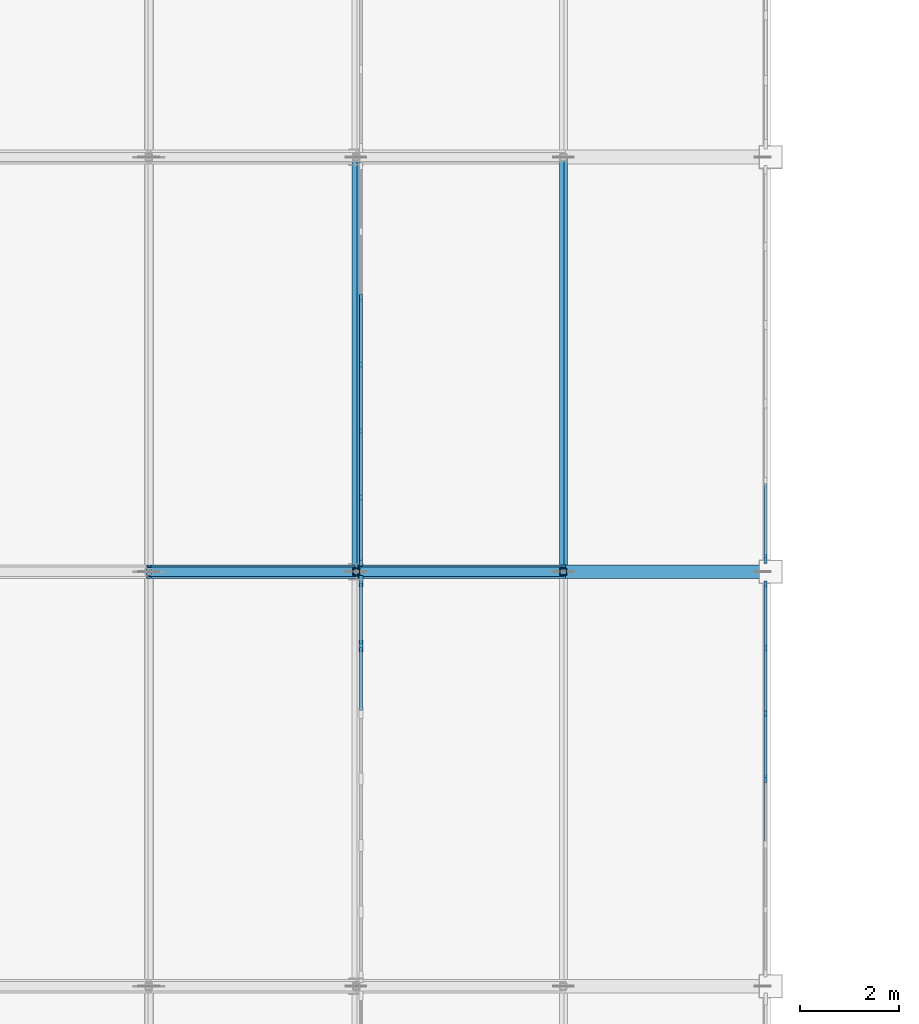
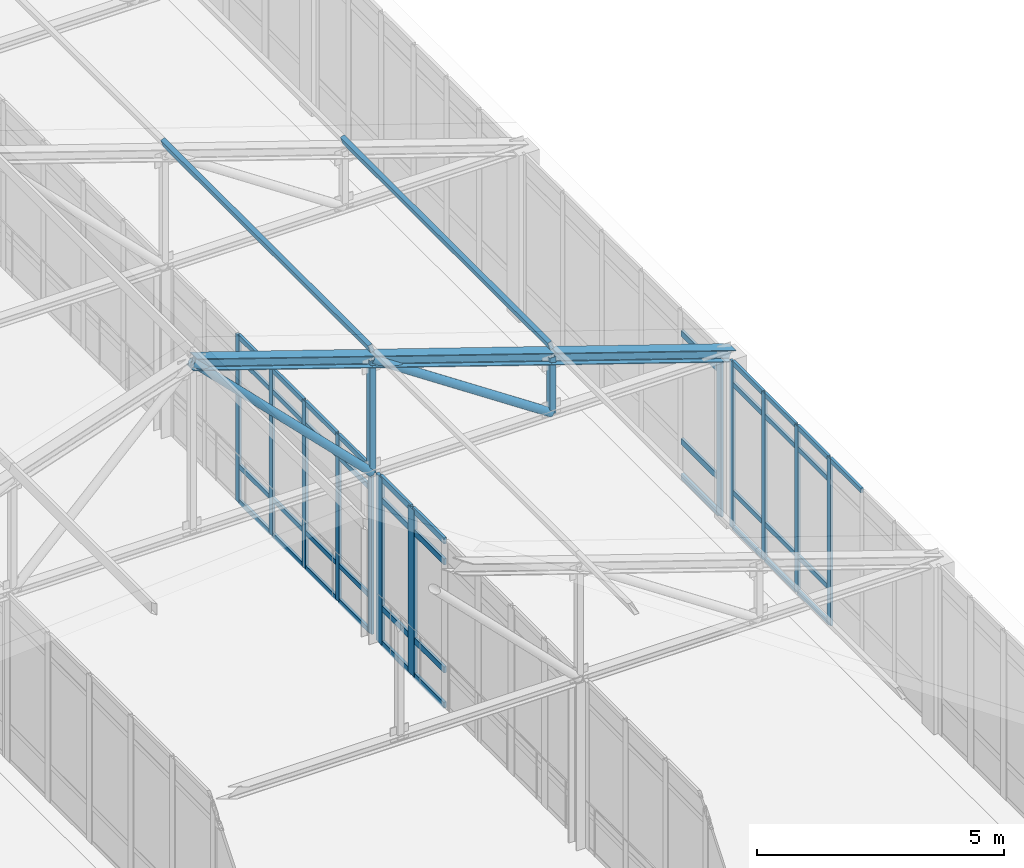
# One storey, part 66 of 192: 61 members, 4 elements without a shape of their own.
"""IFC4 building model written with IfcOpenShell, lengths in metres."""

from ifc_helpers import new_model, si_unit, direction, frame, origin, origin_2d, place, context, subcontext, project, spatial, rectangle, hollow_rectangle, hollow_circle, i_section, extrude, material, layer, layer_set, material_profile, profile_set, type_object, element, aggregate, save


model = new_model("IFC4")

# Units and contexts
model_context = context("Model", 3, precision=1e-05, world=origin(), true_north=direction((0.0, 1.0)))
body_context = subcontext(model_context, "Body", "Model", "MODEL_VIEW")
ifc_project = project(units=[si_unit("LENGTHUNIT", "METRE"), si_unit("AREAUNIT", "SQUARE_METRE"), si_unit("VOLUMEUNIT", "CUBIC_METRE"), si_unit("PLANEANGLEUNIT", "RADIAN"), si_unit("MASSUNIT", "GRAM", prefix="KILO")], contexts=[model_context])

# Site, building, storey
site_placement = place(None, origin())
site = spatial("IfcSite", under=ifc_project, at=site_placement, CompositionType="ELEMENT")
building_placement = place(site_placement, origin())
building = spatial("IfcBuilding", under=site, at=building_placement, Name="Kveldsbrygga Polytechnic", CompositionType="ELEMENT")
storey_placement = place(building_placement, frame((0.0, 0.0, 5.43994140625)))
storey = spatial("IfcBuildingStorey", under=building, at=storey_placement, Name="L01", CompositionType="ELEMENT", Elevation=5.43994140625)

# Curtain wall, members
ifc_material_1 = material(Name="Anodised aluminium AW-6060", Category="aluminium")
ifc_layer_1 = layer(ifc_material_1, 0.179931640625)
ifc_layer_set_1 = layer_set([ifc_layer_1], Name="Anodised aluminium AW-6060")
curtain_wall_type_1 = type_object("IfcCurtainWallType", Name="CW-CONC-A", PredefinedType="USERDEFINED", material=ifc_layer_set_1)
curtain_wall_1_placement = place(storey_placement, origin())
curtain_wall_1 = element("IfcCurtainWall", 1, at=curtain_wall_1_placement, inside=storey, type_object=curtain_wall_type_1, Name="Curtain Wall CW-L01-Y-09-05", ObjectType="UNITISED CURTAIN WALL", PredefinedType="USERDEFINED")
ifc_material_profile_1 = material_profile(ifc_material_1, rectangle(XDim=0.06005859375, YDim=0.139892578125, at=origin_2d()), Name="ALU 60x140")
ifc_profile_set_1 = profile_set([ifc_material_profile_1], Name="Anodised aluminium AW-6060")
member_type_1 = type_object("IfcMemberType", Name="CW-MUL-140", PredefinedType="MULLION", material=ifc_profile_set_1)
member_1_placement = place(storey_placement, frame((75.5, 46.199951171875, 0.0), z_axis=(0.0, 0.0, 1.0), x_axis=(-1.0, 0.0, 0.0)))
member_1 = element("IfcMember", 2, at=member_1_placement, type_object=member_type_1, Name="CW-01 mullion 4", PredefinedType="MULLION", context=body_context, shape_type="SweptSolid", body=[
    extrude(rectangle(XDim=0.06005859375, YDim=0.139892578125, at=origin_2d()), origin(), (0.0, 0.0, 1.0), 4.1201171875),
])
member_2_placement = place(storey_placement, frame((75.5, 47.52490234375, 0.0), z_axis=(0.0, 0.0, 1.0), x_axis=(-1.0, 0.0, 0.0)))
member_2 = element("IfcMember", 3, at=member_2_placement, type_object=member_type_1, Name="CW-01 mullion 5", PredefinedType="MULLION", context=body_context, shape_type="SweptSolid", body=[
    extrude(rectangle(XDim=0.06005859375, YDim=0.139892578125, at=origin_2d()), origin(), (0.0, 0.0, 1.0), 4.1201171875),
])
member_3_placement = place(storey_placement, frame((75.5, 48.85009765625, 0.0), z_axis=(0.0, 0.0, 1.0), x_axis=(-1.0, 0.0, 0.0)))
member_3 = element("IfcMember", 4, at=member_3_placement, type_object=member_type_1, Name="CW-01 mullion 6", PredefinedType="MULLION", context=body_context, shape_type="SweptSolid", body=[
    extrude(rectangle(XDim=0.06005859375, YDim=0.139892578125, at=origin_2d()), origin(), (0.0, 0.0, 1.0), 4.1201171875),
])
member_4_placement = place(storey_placement, frame((75.5, 50.14501953125, 0.0), z_axis=(0.0, 0.0, 1.0), x_axis=(-1.0, 0.0, 0.0)))
member_4 = element("IfcMember", 5, at=member_4_placement, type_object=member_type_1, Name="CW-01 mullion 7", PredefinedType="MULLION", context=body_context, shape_type="SweptSolid", body=[
    extrude(rectangle(XDim=0.06005859375, YDim=0.139892578125, at=origin_2d()), origin(), (0.0, 0.0, 1.0), 4.1201171875),
])

curtain_wall_2_placement = place(storey_placement, origin())
curtain_wall_2 = element("IfcCurtainWall", 6, at=curtain_wall_2_placement, inside=storey, type_object=curtain_wall_type_1, Name="Curtain Wall CW-L01-Y-08-06", ObjectType="UNITISED CURTAIN WALL", PredefinedType="USERDEFINED")
member_5_placement = place(storey_placement, frame((67.300048828125, 50.5849609375, 0.0), z_axis=(0.0, 0.0, 1.0), x_axis=(-1.0, 0.0, 0.0)))
member_5 = element("IfcMember", 7, at=member_5_placement, type_object=member_type_1, Name="CW-01 mullion 1", PredefinedType="MULLION", context=body_context, shape_type="SweptSolid", body=[
    extrude(rectangle(XDim=0.06005859375, YDim=0.139892578125, at=origin_2d()), origin(), (0.0, 0.0, 1.0), 4.1201171875),
])
member_6_placement = place(storey_placement, frame((67.300048828125, 51.9033203125, 0.0), z_axis=(0.0, 0.0, 1.0), x_axis=(-1.0, 0.0, 0.0)))
member_6 = element("IfcMember", 8, at=member_6_placement, type_object=member_type_1, Name="CW-01 mullion 2", PredefinedType="MULLION", context=body_context, shape_type="SweptSolid", body=[
    extrude(rectangle(XDim=0.06005859375, YDim=0.139892578125, at=origin_2d()), origin(), (0.0, 0.0, 1.0), 4.1201171875),
])
member_7_placement = place(storey_placement, frame((67.300048828125, 53.251708984375, 0.0), z_axis=(0.0, 0.0, 1.0), x_axis=(-1.0, 0.0, 0.0)))
member_7 = element("IfcMember", 9, at=member_7_placement, type_object=member_type_1, Name="CW-01 mullion 3", PredefinedType="MULLION", context=body_context, shape_type="SweptSolid", body=[
    extrude(rectangle(XDim=0.06005859375, YDim=0.139892578125, at=origin_2d()), origin(), (0.0, 0.0, 1.0), 4.1201171875),
])
member_8_placement = place(storey_placement, frame((67.300048828125, 54.60009765625, 0.0), z_axis=(0.0, 0.0, 1.0), x_axis=(-1.0, 0.0, 0.0)))
member_8 = element("IfcMember", 10, at=member_8_placement, type_object=member_type_1, Name="CW-01 mullion 4", PredefinedType="MULLION", context=body_context, shape_type="SweptSolid", body=[
    extrude(rectangle(XDim=0.06005859375, YDim=0.139892578125, at=origin_2d()), origin(), (0.0, 0.0, 1.0), 4.1201171875),
])
member_9_placement = place(storey_placement, frame((67.300048828125, 55.9482421875, 0.0), z_axis=(0.0, 0.0, 1.0), x_axis=(-1.0, 0.0, 0.0)))
member_9 = element("IfcMember", 11, at=member_9_placement, type_object=member_type_1, Name="CW-01 mullion 5", PredefinedType="MULLION", context=body_context, shape_type="SweptSolid", body=[
    extrude(rectangle(XDim=0.06005859375, YDim=0.139892578125, at=origin_2d()), origin(), (0.0, 0.0, 1.0), 4.1201171875),
])

# Curtain wall, member
ifc_layer_2 = layer(ifc_material_1, 0.199951171875)
ifc_layer_set_2 = layer_set([ifc_layer_2], Name="Anodised aluminium AW-6060")
curtain_wall_type_2 = type_object("IfcCurtainWallType", Name="CW-CONC-B", PredefinedType="USERDEFINED", material=ifc_layer_set_2)
curtain_wall_3_placement = place(storey_placement, origin())
curtain_wall_3 = element("IfcCurtainWall", 12, at=curtain_wall_3_placement, inside=storey, type_object=curtain_wall_type_2, Name="Curtain Wall CW-L01-Y-09-06", ObjectType="UNITISED CURTAIN WALL", PredefinedType="USERDEFINED")
ifc_material_profile_2 = material_profile(ifc_material_1, rectangle(XDim=0.06005859375, YDim=0.179931640625, at=origin_2d()), Name="ALU 60x180")
ifc_profile_set_2 = profile_set([ifc_material_profile_2], Name="Anodised aluminium AW-6060")
member_type_2 = type_object("IfcMemberType", Name="CW-MUL-180", PredefinedType="MULLION", material=ifc_profile_set_2)
member_10_placement = place(storey_placement, frame((75.5, 50.655029296875, 0.0), z_axis=(0.0, 0.0, 1.0), x_axis=(-1.0, 0.0, 0.0)))
member_10 = element("IfcMember", 13, at=member_10_placement, type_object=member_type_2, Name="CW-02 mullion 1", PredefinedType="MULLION", context=body_context, shape_type="SweptSolid", body=[
    extrude(rectangle(XDim=0.06005859375, YDim=0.179931640625, at=origin_2d()), origin(), (0.0, 0.0, 1.0), 4.1201171875),
])

# Curtain wall, members
ifc_layer_3 = layer(ifc_material_1, 0.2099609375)
ifc_layer_set_3 = layer_set([ifc_layer_3], Name="Anodised aluminium AW-6060")
curtain_wall_type_3 = type_object("IfcCurtainWallType", Name="CW-LIBR-H", PredefinedType="USERDEFINED", material=ifc_layer_set_3)
curtain_wall_4_placement = place(storey_placement, origin())
curtain_wall_4 = element("IfcCurtainWall", 14, at=curtain_wall_4_placement, inside=storey, type_object=curtain_wall_type_3, Name="Curtain Wall CW-L01-Y-08-05", ObjectType="UNITISED CURTAIN WALL", PredefinedType="USERDEFINED")
ifc_material_profile_3 = material_profile(ifc_material_1, rectangle(XDim=0.074951171875, YDim=0.239990234375, at=origin_2d()), Name="ALU 75x240")
ifc_profile_set_3 = profile_set([ifc_material_profile_3], Name="Anodised aluminium AW-6060")
member_type_3 = type_object("IfcMemberType", Name="CW-MUL-240", PredefinedType="MULLION", material=ifc_profile_set_3)
member_11_placement = place(storey_placement, frame((67.300048828125, 48.896728515625, 0.0), z_axis=(0.0, 0.0, 1.0), x_axis=(-1.0, 0.0, 0.0)))
member_11 = element("IfcMember", 15, at=member_11_placement, type_object=member_type_3, Name="CW-08 mullion 6", PredefinedType="MULLION", context=body_context, shape_type="SweptSolid", body=[
    extrude(rectangle(XDim=0.074951171875, YDim=0.239990234375, at=origin_2d()), origin(), (0.0, 0.0, 1.0), 4.1201171875),
])
member_12_placement = place(storey_placement, frame((67.300048828125, 50.20751953125, 0.0), z_axis=(0.0, 0.0, 1.0), x_axis=(-1.0, 0.0, 0.0)))
member_12 = element("IfcMember", 16, at=member_12_placement, type_object=member_type_3, Name="CW-08 mullion 7", PredefinedType="MULLION", context=body_context, shape_type="SweptSolid", body=[
    extrude(rectangle(XDim=0.074951171875, YDim=0.239990234375, at=origin_2d()), origin(), (0.0, 0.0, 1.0), 4.1201171875),
])

# Member
ifc_material_profile_4 = material_profile(ifc_material_1, rectangle(XDim=0.06005859375, YDim=0.1201171875, at=origin_2d()), Name="ALU 60x120")
ifc_profile_set_4 = profile_set([ifc_material_profile_4], Name="Anodised aluminium AW-6060")
member_type_4 = type_object("IfcMemberType", Name="CW-TRN-120", PredefinedType="USERDEFINED", material=ifc_profile_set_4)
member_13_placement = place(storey_placement, frame((75.5, 44.905029296875, 4.090087890625), z_axis=(0.0, 1.0, 0.0), x_axis=(-1.0, 0.0, 0.0)))
member_13 = element("IfcMember", 17, at=member_13_placement, type_object=member_type_4, Name="CW-01 transom 3.4", ObjectType="TRANSOM", PredefinedType="USERDEFINED", context=body_context, shape_type="SweptSolid", body=[
    extrude(rectangle(XDim=0.06005859375, YDim=0.1201171875, at=origin_2d()), origin(), (0.0, 0.0, 1.0), 1.264892578125),
])

member_14_placement = place(storey_placement, frame((75.5, 46.22998046875, 0.030029296875), z_axis=(0.0, 1.0, 0.0), x_axis=(-1.0, 0.0, 0.0)))
member_14 = element("IfcMember", 18, at=member_14_placement, type_object=member_type_4, Name="CW-01 transom 4.1", ObjectType="TRANSOM", PredefinedType="USERDEFINED", context=body_context, shape_type="SweptSolid", body=[
    extrude(rectangle(XDim=0.06005859375, YDim=0.1201171875, at=origin_2d()), origin(), (0.0, 0.0, 1.0), 1.26513671875),
])

member_15_placement = place(storey_placement, frame((75.5, 46.22998046875, 0.900146484375), z_axis=(0.0, 1.0, 0.0), x_axis=(-1.0, 0.0, 0.0)))
member_15 = element("IfcMember", 19, at=member_15_placement, type_object=member_type_4, Name="CW-01 transom 4.2", ObjectType="TRANSOM", PredefinedType="USERDEFINED", context=body_context, shape_type="SweptSolid", body=[
    extrude(rectangle(XDim=0.06005859375, YDim=0.1201171875, at=origin_2d()), origin(), (0.0, 0.0, 1.0), 1.26513671875),
])

member_16_placement = place(storey_placement, frame((75.5, 46.22998046875, 3.570068359375), z_axis=(0.0, 1.0, 0.0), x_axis=(-1.0, 0.0, 0.0)))
member_16 = element("IfcMember", 20, at=member_16_placement, type_object=member_type_4, Name="CW-01 transom 4.3", ObjectType="TRANSOM", PredefinedType="USERDEFINED", context=body_context, shape_type="SweptSolid", body=[
    extrude(rectangle(XDim=0.06005859375, YDim=0.1201171875, at=origin_2d()), origin(), (0.0, 0.0, 1.0), 1.26513671875),
])

member_17_placement = place(storey_placement, frame((75.5, 46.22998046875, 4.090087890625), z_axis=(0.0, 1.0, 0.0), x_axis=(-1.0, 0.0, 0.0)))
member_17 = element("IfcMember", 21, at=member_17_placement, type_object=member_type_4, Name="CW-01 transom 4.4", ObjectType="TRANSOM", PredefinedType="USERDEFINED", context=body_context, shape_type="SweptSolid", body=[
    extrude(rectangle(XDim=0.06005859375, YDim=0.1201171875, at=origin_2d()), origin(), (0.0, 0.0, 1.0), 1.26513671875),
])

member_18_placement = place(storey_placement, frame((75.5, 47.554931640625, 0.030029296875), z_axis=(0.0, 1.0, 0.0), x_axis=(-1.0, 0.0, 0.0)))
member_18 = element("IfcMember", 22, at=member_18_placement, type_object=member_type_4, Name="CW-01 transom 5.1", ObjectType="TRANSOM", PredefinedType="USERDEFINED", context=body_context, shape_type="SweptSolid", body=[
    extrude(rectangle(XDim=0.06005859375, YDim=0.1201171875, at=origin_2d()), origin(), (0.0, 0.0, 1.0), 1.26513671875),
])

member_19_placement = place(storey_placement, frame((75.5, 47.554931640625, 0.900146484375), z_axis=(0.0, 1.0, 0.0), x_axis=(-1.0, 0.0, 0.0)))
member_19 = element("IfcMember", 23, at=member_19_placement, type_object=member_type_4, Name="CW-01 transom 5.2", ObjectType="TRANSOM", PredefinedType="USERDEFINED", context=body_context, shape_type="SweptSolid", body=[
    extrude(rectangle(XDim=0.06005859375, YDim=0.1201171875, at=origin_2d()), origin(), (0.0, 0.0, 1.0), 1.26513671875),
])

member_20_placement = place(storey_placement, frame((75.5, 47.554931640625, 3.570068359375), z_axis=(0.0, 1.0, 0.0), x_axis=(-1.0, 0.0, 0.0)))
member_20 = element("IfcMember", 24, at=member_20_placement, type_object=member_type_4, Name="CW-01 transom 5.3", ObjectType="TRANSOM", PredefinedType="USERDEFINED", context=body_context, shape_type="SweptSolid", body=[
    extrude(rectangle(XDim=0.06005859375, YDim=0.1201171875, at=origin_2d()), origin(), (0.0, 0.0, 1.0), 1.26513671875),
])

member_21_placement = place(storey_placement, frame((75.5, 47.554931640625, 4.090087890625), z_axis=(0.0, 1.0, 0.0), x_axis=(-1.0, 0.0, 0.0)))
member_21 = element("IfcMember", 25, at=member_21_placement, type_object=member_type_4, Name="CW-01 transom 5.4", ObjectType="TRANSOM", PredefinedType="USERDEFINED", context=body_context, shape_type="SweptSolid", body=[
    extrude(rectangle(XDim=0.06005859375, YDim=0.1201171875, at=origin_2d()), origin(), (0.0, 0.0, 1.0), 1.26513671875),
])

member_22_placement = place(storey_placement, frame((75.5, 48.8798828125, 0.030029296875), z_axis=(0.0, 1.0, 0.0), x_axis=(-1.0, 0.0, 0.0)))
member_22 = element("IfcMember", 26, at=member_22_placement, type_object=member_type_4, Name="CW-01 transom 6.1", ObjectType="TRANSOM", PredefinedType="USERDEFINED", context=body_context, shape_type="SweptSolid", body=[
    extrude(rectangle(XDim=0.06005859375, YDim=0.1201171875, at=origin_2d()), origin(), (0.0, 0.0, 1.0), 1.235107421875),
])

member_23_placement = place(storey_placement, frame((75.5, 48.8798828125, 0.900146484375), z_axis=(0.0, 1.0, 0.0), x_axis=(-1.0, 0.0, 0.0)))
member_23 = element("IfcMember", 27, at=member_23_placement, type_object=member_type_4, Name="CW-01 transom 6.2", ObjectType="TRANSOM", PredefinedType="USERDEFINED", context=body_context, shape_type="SweptSolid", body=[
    extrude(rectangle(XDim=0.06005859375, YDim=0.1201171875, at=origin_2d()), origin(), (0.0, 0.0, 1.0), 1.235107421875),
])

member_24_placement = place(storey_placement, frame((75.5, 48.8798828125, 3.570068359375), z_axis=(0.0, 1.0, 0.0), x_axis=(-1.0, 0.0, 0.0)))
member_24 = element("IfcMember", 28, at=member_24_placement, type_object=member_type_4, Name="CW-01 transom 6.3", ObjectType="TRANSOM", PredefinedType="USERDEFINED", context=body_context, shape_type="SweptSolid", body=[
    extrude(rectangle(XDim=0.06005859375, YDim=0.1201171875, at=origin_2d()), origin(), (0.0, 0.0, 1.0), 1.235107421875),
])

member_25_placement = place(storey_placement, frame((75.5, 48.8798828125, 4.090087890625), z_axis=(0.0, 1.0, 0.0), x_axis=(-1.0, 0.0, 0.0)))
member_25 = element("IfcMember", 29, at=member_25_placement, type_object=member_type_4, Name="CW-01 transom 6.4", ObjectType="TRANSOM", PredefinedType="USERDEFINED", context=body_context, shape_type="SweptSolid", body=[
    extrude(rectangle(XDim=0.06005859375, YDim=0.1201171875, at=origin_2d()), origin(), (0.0, 0.0, 1.0), 1.235107421875),
])

aggregate(curtain_wall_1, [member_1, member_2, member_3, member_4, member_13, member_14, member_15, member_16, member_17, member_18, member_19, member_20, member_21, member_22, member_23, member_24, member_25])

member_26_placement = place(storey_placement, frame((67.300048828125, 50.614990234375, 0.030029296875), z_axis=(0.0, 1.0, 0.0), x_axis=(-1.0, 0.0, 0.0)))
member_26 = element("IfcMember", 30, at=member_26_placement, type_object=member_type_4, Name="CW-01 transom 1.1", ObjectType="TRANSOM", PredefinedType="USERDEFINED", context=body_context, shape_type="SweptSolid", body=[
    extrude(rectangle(XDim=0.06005859375, YDim=0.1201171875, at=origin_2d()), origin(), (0.0, 0.0, 1.0), 1.25830078125),
])

member_27_placement = place(storey_placement, frame((67.300048828125, 50.614990234375, 0.900146484375), z_axis=(0.0, 1.0, 0.0), x_axis=(-1.0, 0.0, 0.0)))
member_27 = element("IfcMember", 31, at=member_27_placement, type_object=member_type_4, Name="CW-01 transom 1.2", ObjectType="TRANSOM", PredefinedType="USERDEFINED", context=body_context, shape_type="SweptSolid", body=[
    extrude(rectangle(XDim=0.06005859375, YDim=0.1201171875, at=origin_2d()), origin(), (0.0, 0.0, 1.0), 1.25830078125),
])

member_28_placement = place(storey_placement, frame((67.300048828125, 50.614990234375, 3.570068359375), z_axis=(0.0, 1.0, 0.0), x_axis=(-1.0, 0.0, 0.0)))
member_28 = element("IfcMember", 32, at=member_28_placement, type_object=member_type_4, Name="CW-01 transom 1.3", ObjectType="TRANSOM", PredefinedType="USERDEFINED", context=body_context, shape_type="SweptSolid", body=[
    extrude(rectangle(XDim=0.06005859375, YDim=0.1201171875, at=origin_2d()), origin(), (0.0, 0.0, 1.0), 1.25830078125),
])

member_29_placement = place(storey_placement, frame((67.300048828125, 50.614990234375, 4.090087890625), z_axis=(0.0, 1.0, 0.0), x_axis=(-1.0, 0.0, 0.0)))
member_29 = element("IfcMember", 33, at=member_29_placement, type_object=member_type_4, Name="CW-01 transom 1.4", ObjectType="TRANSOM", PredefinedType="USERDEFINED", context=body_context, shape_type="SweptSolid", body=[
    extrude(rectangle(XDim=0.06005859375, YDim=0.1201171875, at=origin_2d()), origin(), (0.0, 0.0, 1.0), 1.25830078125),
])

member_30_placement = place(storey_placement, frame((67.300048828125, 51.933349609375, 0.030029296875), z_axis=(0.0, 1.0, 0.0), x_axis=(-1.0, 0.0, 0.0)))
member_30 = element("IfcMember", 34, at=member_30_placement, type_object=member_type_4, Name="CW-01 transom 2.1", ObjectType="TRANSOM", PredefinedType="USERDEFINED", context=body_context, shape_type="SweptSolid", body=[
    extrude(rectangle(XDim=0.06005859375, YDim=0.1201171875, at=origin_2d()), origin(), (0.0, 0.0, 1.0), 1.288330078125),
])

member_31_placement = place(storey_placement, frame((67.300048828125, 51.933349609375, 0.900146484375), z_axis=(0.0, 1.0, 0.0), x_axis=(-1.0, 0.0, 0.0)))
member_31 = element("IfcMember", 35, at=member_31_placement, type_object=member_type_4, Name="CW-01 transom 2.2", ObjectType="TRANSOM", PredefinedType="USERDEFINED", context=body_context, shape_type="SweptSolid", body=[
    extrude(rectangle(XDim=0.06005859375, YDim=0.1201171875, at=origin_2d()), origin(), (0.0, 0.0, 1.0), 1.288330078125),
])

member_32_placement = place(storey_placement, frame((67.300048828125, 51.933349609375, 3.570068359375), z_axis=(0.0, 1.0, 0.0), x_axis=(-1.0, 0.0, 0.0)))
member_32 = element("IfcMember", 36, at=member_32_placement, type_object=member_type_4, Name="CW-01 transom 2.3", ObjectType="TRANSOM", PredefinedType="USERDEFINED", context=body_context, shape_type="SweptSolid", body=[
    extrude(rectangle(XDim=0.06005859375, YDim=0.1201171875, at=origin_2d()), origin(), (0.0, 0.0, 1.0), 1.288330078125),
])

member_33_placement = place(storey_placement, frame((67.300048828125, 51.933349609375, 4.090087890625), z_axis=(0.0, 1.0, 0.0), x_axis=(-1.0, 0.0, 0.0)))
member_33 = element("IfcMember", 37, at=member_33_placement, type_object=member_type_4, Name="CW-01 transom 2.4", ObjectType="TRANSOM", PredefinedType="USERDEFINED", context=body_context, shape_type="SweptSolid", body=[
    extrude(rectangle(XDim=0.06005859375, YDim=0.1201171875, at=origin_2d()), origin(), (0.0, 0.0, 1.0), 1.288330078125),
])

member_34_placement = place(storey_placement, frame((67.300048828125, 53.28173828125, 0.030029296875), z_axis=(0.0, 1.0, 0.0), x_axis=(-1.0, 0.0, 0.0)))
member_34 = element("IfcMember", 38, at=member_34_placement, type_object=member_type_4, Name="CW-01 transom 3.1", ObjectType="TRANSOM", PredefinedType="USERDEFINED", context=body_context, shape_type="SweptSolid", body=[
    extrude(rectangle(XDim=0.06005859375, YDim=0.1201171875, at=origin_2d()), origin(), (0.0, 0.0, 1.0), 1.288330078125),
])

member_35_placement = place(storey_placement, frame((67.300048828125, 53.28173828125, 0.900146484375), z_axis=(0.0, 1.0, 0.0), x_axis=(-1.0, 0.0, 0.0)))
member_35 = element("IfcMember", 39, at=member_35_placement, type_object=member_type_4, Name="CW-01 transom 3.2", ObjectType="TRANSOM", PredefinedType="USERDEFINED", context=body_context, shape_type="SweptSolid", body=[
    extrude(rectangle(XDim=0.06005859375, YDim=0.1201171875, at=origin_2d()), origin(), (0.0, 0.0, 1.0), 1.288330078125),
])

member_36_placement = place(storey_placement, frame((67.300048828125, 53.28173828125, 3.570068359375), z_axis=(0.0, 1.0, 0.0), x_axis=(-1.0, 0.0, 0.0)))
member_36 = element("IfcMember", 40, at=member_36_placement, type_object=member_type_4, Name="CW-01 transom 3.3", ObjectType="TRANSOM", PredefinedType="USERDEFINED", context=body_context, shape_type="SweptSolid", body=[
    extrude(rectangle(XDim=0.06005859375, YDim=0.1201171875, at=origin_2d()), origin(), (0.0, 0.0, 1.0), 1.288330078125),
])

member_37_placement = place(storey_placement, frame((67.300048828125, 53.28173828125, 4.090087890625), z_axis=(0.0, 1.0, 0.0), x_axis=(-1.0, 0.0, 0.0)))
member_37 = element("IfcMember", 41, at=member_37_placement, type_object=member_type_4, Name="CW-01 transom 3.4", ObjectType="TRANSOM", PredefinedType="USERDEFINED", context=body_context, shape_type="SweptSolid", body=[
    extrude(rectangle(XDim=0.06005859375, YDim=0.1201171875, at=origin_2d()), origin(), (0.0, 0.0, 1.0), 1.288330078125),
])

member_38_placement = place(storey_placement, frame((67.300048828125, 54.6298828125, 0.030029296875), z_axis=(0.0, 1.0, 0.0), x_axis=(-1.0, 0.0, 0.0)))
member_38 = element("IfcMember", 42, at=member_38_placement, type_object=member_type_4, Name="CW-01 transom 4.1", ObjectType="TRANSOM", PredefinedType="USERDEFINED", context=body_context, shape_type="SweptSolid", body=[
    extrude(rectangle(XDim=0.06005859375, YDim=0.1201171875, at=origin_2d()), origin(), (0.0, 0.0, 1.0), 1.288330078125),
])

member_39_placement = place(storey_placement, frame((67.300048828125, 54.6298828125, 0.900146484375), z_axis=(0.0, 1.0, 0.0), x_axis=(-1.0, 0.0, 0.0)))
member_39 = element("IfcMember", 43, at=member_39_placement, type_object=member_type_4, Name="CW-01 transom 4.2", ObjectType="TRANSOM", PredefinedType="USERDEFINED", context=body_context, shape_type="SweptSolid", body=[
    extrude(rectangle(XDim=0.06005859375, YDim=0.1201171875, at=origin_2d()), origin(), (0.0, 0.0, 1.0), 1.288330078125),
])

member_40_placement = place(storey_placement, frame((67.300048828125, 54.6298828125, 3.570068359375), z_axis=(0.0, 1.0, 0.0), x_axis=(-1.0, 0.0, 0.0)))
member_40 = element("IfcMember", 44, at=member_40_placement, type_object=member_type_4, Name="CW-01 transom 4.3", ObjectType="TRANSOM", PredefinedType="USERDEFINED", context=body_context, shape_type="SweptSolid", body=[
    extrude(rectangle(XDim=0.06005859375, YDim=0.1201171875, at=origin_2d()), origin(), (0.0, 0.0, 1.0), 1.288330078125),
])

member_41_placement = place(storey_placement, frame((67.300048828125, 54.6298828125, 4.090087890625), z_axis=(0.0, 1.0, 0.0), x_axis=(-1.0, 0.0, 0.0)))
member_41 = element("IfcMember", 45, at=member_41_placement, type_object=member_type_4, Name="CW-01 transom 4.4", ObjectType="TRANSOM", PredefinedType="USERDEFINED", context=body_context, shape_type="SweptSolid", body=[
    extrude(rectangle(XDim=0.06005859375, YDim=0.1201171875, at=origin_2d()), origin(), (0.0, 0.0, 1.0), 1.288330078125),
])

aggregate(curtain_wall_2, [member_5, member_6, member_7, member_8, member_9, member_26, member_27, member_28, member_29, member_30, member_31, member_32, member_33, member_34, member_35, member_36, member_37, member_38, member_39, member_40, member_41])

ifc_material_profile_5 = material_profile(ifc_material_1, rectangle(XDim=0.06005859375, YDim=0.14990234375, at=origin_2d()), Name="ALU 60x150")
ifc_profile_set_5 = profile_set([ifc_material_profile_5], Name="Anodised aluminium AW-6060")
member_type_5 = type_object("IfcMemberType", Name="CW-TRN-150", PredefinedType="USERDEFINED", material=ifc_profile_set_5)
member_42_placement = place(storey_placement, frame((67.300048828125, 47.5859375, 0.030029296875), z_axis=(0.0, 1.0, 0.0), x_axis=(-1.0, 0.0, 0.0)))
member_42 = element("IfcMember", 46, at=member_42_placement, type_object=member_type_5, Name="CW-08 transom 5.1", ObjectType="TRANSOM", PredefinedType="USERDEFINED", context=body_context, shape_type="SweptSolid", body=[
    extrude(rectangle(XDim=0.06005859375, YDim=0.14990234375, at=origin_2d()), origin(), (0.0, 0.0, 1.0), 1.273193359375),
])

member_43_placement = place(storey_placement, frame((67.300048828125, 47.5859375, 0.900146484375), z_axis=(0.0, 1.0, 0.0), x_axis=(-1.0, 0.0, 0.0)))
member_43 = element("IfcMember", 47, at=member_43_placement, type_object=member_type_5, Name="CW-08 transom 5.2", ObjectType="TRANSOM", PredefinedType="USERDEFINED", context=body_context, shape_type="SweptSolid", body=[
    extrude(rectangle(XDim=0.06005859375, YDim=0.14990234375, at=origin_2d()), origin(), (0.0, 0.0, 1.0), 1.273193359375),
])

member_44_placement = place(storey_placement, frame((67.300048828125, 47.5859375, 3.570068359375), z_axis=(0.0, 1.0, 0.0), x_axis=(-1.0, 0.0, 0.0)))
member_44 = element("IfcMember", 48, at=member_44_placement, type_object=member_type_5, Name="CW-08 transom 5.3", ObjectType="TRANSOM", PredefinedType="USERDEFINED", context=body_context, shape_type="SweptSolid", body=[
    extrude(rectangle(XDim=0.06005859375, YDim=0.14990234375, at=origin_2d()), origin(), (0.0, 0.0, 1.0), 1.273193359375),
])

member_45_placement = place(storey_placement, frame((67.300048828125, 47.5859375, 4.090087890625), z_axis=(0.0, 1.0, 0.0), x_axis=(-1.0, 0.0, 0.0)))
member_45 = element("IfcMember", 49, at=member_45_placement, type_object=member_type_5, Name="CW-08 transom 5.4", ObjectType="TRANSOM", PredefinedType="USERDEFINED", context=body_context, shape_type="SweptSolid", body=[
    extrude(rectangle(XDim=0.06005859375, YDim=0.14990234375, at=origin_2d()), origin(), (0.0, 0.0, 1.0), 1.273193359375),
])

member_46_placement = place(storey_placement, frame((67.300048828125, 48.93408203125, 0.030029296875), z_axis=(0.0, 1.0, 0.0), x_axis=(-1.0, 0.0, 0.0)))
member_46 = element("IfcMember", 50, at=member_46_placement, type_object=member_type_5, Name="CW-08 transom 6.1", ObjectType="TRANSOM", PredefinedType="USERDEFINED", context=body_context, shape_type="SweptSolid", body=[
    extrude(rectangle(XDim=0.06005859375, YDim=0.14990234375, at=origin_2d()), origin(), (0.0, 0.0, 1.0), 1.23583984375),
])

member_47_placement = place(storey_placement, frame((67.300048828125, 48.93408203125, 0.900146484375), z_axis=(0.0, 1.0, 0.0), x_axis=(-1.0, 0.0, 0.0)))
member_47 = element("IfcMember", 51, at=member_47_placement, type_object=member_type_5, Name="CW-08 transom 6.2", ObjectType="TRANSOM", PredefinedType="USERDEFINED", context=body_context, shape_type="SweptSolid", body=[
    extrude(rectangle(XDim=0.06005859375, YDim=0.14990234375, at=origin_2d()), origin(), (0.0, 0.0, 1.0), 1.23583984375),
])

member_48_placement = place(storey_placement, frame((67.300048828125, 48.93408203125, 3.570068359375), z_axis=(0.0, 1.0, 0.0), x_axis=(-1.0, 0.0, 0.0)))
member_48 = element("IfcMember", 52, at=member_48_placement, type_object=member_type_5, Name="CW-08 transom 6.3", ObjectType="TRANSOM", PredefinedType="USERDEFINED", context=body_context, shape_type="SweptSolid", body=[
    extrude(rectangle(XDim=0.06005859375, YDim=0.14990234375, at=origin_2d()), origin(), (0.0, 0.0, 1.0), 1.23583984375),
])

member_49_placement = place(storey_placement, frame((67.300048828125, 48.93408203125, 4.090087890625), z_axis=(0.0, 1.0, 0.0), x_axis=(-1.0, 0.0, 0.0)))
member_49 = element("IfcMember", 53, at=member_49_placement, type_object=member_type_5, Name="CW-08 transom 6.4", ObjectType="TRANSOM", PredefinedType="USERDEFINED", context=body_context, shape_type="SweptSolid", body=[
    extrude(rectangle(XDim=0.06005859375, YDim=0.14990234375, at=origin_2d()), origin(), (0.0, 0.0, 1.0), 1.23583984375),
])

aggregate(curtain_wall_4, [member_11, member_12, member_42, member_43, member_44, member_45, member_46, member_47, member_48, member_49])

member_50_placement = place(storey_placement, frame((75.5, 50.68505859375, 0.030029296875), z_axis=(0.0, 1.0, 0.0), x_axis=(-1.0, 0.0, 0.0)))
member_50 = element("IfcMember", 54, at=member_50_placement, type_object=member_type_5, Name="CW-02 transom 1.1", ObjectType="TRANSOM", PredefinedType="USERDEFINED", context=body_context, shape_type="SweptSolid", body=[
    extrude(rectangle(XDim=0.06005859375, YDim=0.14990234375, at=origin_2d()), origin(), (0.0, 0.0, 1.0), 1.5),
])

member_51_placement = place(storey_placement, frame((75.5, 50.68505859375, 0.900146484375), z_axis=(0.0, 1.0, 0.0), x_axis=(-1.0, 0.0, 0.0)))
member_51 = element("IfcMember", 55, at=member_51_placement, type_object=member_type_5, Name="CW-02 transom 1.2", ObjectType="TRANSOM", PredefinedType="USERDEFINED", context=body_context, shape_type="SweptSolid", body=[
    extrude(rectangle(XDim=0.06005859375, YDim=0.14990234375, at=origin_2d()), origin(), (0.0, 0.0, 1.0), 1.5),
])

member_52_placement = place(storey_placement, frame((75.5, 50.68505859375, 3.570068359375), z_axis=(0.0, 1.0, 0.0), x_axis=(-1.0, 0.0, 0.0)))
member_52 = element("IfcMember", 56, at=member_52_placement, type_object=member_type_5, Name="CW-02 transom 1.3", ObjectType="TRANSOM", PredefinedType="USERDEFINED", context=body_context, shape_type="SweptSolid", body=[
    extrude(rectangle(XDim=0.06005859375, YDim=0.14990234375, at=origin_2d()), origin(), (0.0, 0.0, 1.0), 1.5),
])

aggregate(curtain_wall_3, [member_10, member_50, member_51, member_52])

# Members
ifc_material_2 = material(Name="Steel S355", Category="steel")
ifc_material_profile_6 = material_profile(ifc_material_2, hollow_rectangle(XDim=0.10009765625, YDim=0.199951171875, WallThickness=0.010009765625, at=origin_2d()), Name="RHS 200x100x10.0")
ifc_profile_set_6 = profile_set([ifc_material_profile_6], Name="Steel S355")
member_type_6 = type_object("IfcMemberType", Name="PRL-RHS200", PredefinedType="PURLIN", material=ifc_profile_set_6)
for number, where, z_axis, x_axis, name in (
    (57, (67.199951171875, 50.39990234375, 7.173095703125), (0.0, 1.0, 0.0), (-0.948683567514, 0.0, -0.316226957624), "Roof Purlin V5C-PRL-6-4"),
    (58, (71.39990234375, 50.39990234375, 5.77294921875), (0.0, 1.0, 0.0), (-0.948683567514, 0.0, -0.316226957624), "Roof Purlin V5C-PRL-6-5"),
):
    element("IfcMember", number, at=place(storey_placement, frame(where, z_axis=z_axis, x_axis=x_axis)), inside=storey, type_object=member_type_6, Name=name, PredefinedType="PURLIN", context=body_context, shape_type="SweptSolid", body=[
        extrude(hollow_rectangle(XDim=0.10009765625, YDim=0.199951171875, WallThickness=0.010009765625, at=origin_2d()), origin(), (0.0, 0.0, 1.0), 8.400146484375),
    ])
ifc_material_profile_7 = material_profile(ifc_material_2, hollow_circle(Radius=0.096923828125, WallThickness=0.010009765625, at=origin_2d()), Name="CHS 193.7x10.0")
ifc_profile_set_7 = profile_set([ifc_material_profile_7], Name="Steel S355")
member_type_7 = type_object("IfcMemberType", Name="TR-DIAG-CHS194", PredefinedType="BRACE", material=ifc_profile_set_7)
member_53_placement = place(storey_placement, frame((63.0, 50.39990234375, 8.320068359375), z_axis=(0.707106781187, 0.0, -0.707106781187), x_axis=(0.0, 1.0, 0.0)))
element("IfcMember", 59, at=member_53_placement, inside=storey, type_object=member_type_7, Name="Truss Diagonal V5C-T06-DG-4", PredefinedType="BRACE", context=body_context, shape_type="SweptSolid", body=[
    extrude(hollow_circle(Radius=0.096923828125, WallThickness=0.010009765625, at=origin_2d()), origin(), (0.0, 0.0, 1.0), 5.939697265625),
])
member_54_placement = place(storey_placement, frame((67.199951171875, 50.39990234375, 6.920166015625), z_axis=(0.832042853317, 0.0, -0.554711357594), x_axis=(0.0, 1.0, 0.0)))
element("IfcMember", 60, at=member_54_placement, inside=storey, type_object=member_type_7, Name="Truss Diagonal V5C-T06-DG-5", PredefinedType="BRACE", context=body_context, shape_type="SweptSolid", body=[
    extrude(hollow_circle(Radius=0.096923828125, WallThickness=0.010009765625, at=origin_2d()), origin(), (0.0, 0.0, 1.0), 5.0478515625),
])
ifc_material_profile_8 = material_profile(ifc_material_2, hollow_rectangle(XDim=0.139892578125, YDim=0.139892578125, WallThickness=0.008056640625, at=origin_2d()), Name="SHS 140x140x8.0")
ifc_profile_set_8 = profile_set([ifc_material_profile_8], Name="Steel S355")
member_type_8 = type_object("IfcMemberType", Name="TR-POST-SHS140", PredefinedType="STRUT", material=ifc_profile_set_8)
member_55_placement = place(storey_placement, frame((67.199951171875, 50.39990234375, 4.1201171875), z_axis=(0.0, 0.0, 1.0), x_axis=(1.0, 0.0, 0.0)))
element("IfcMember", 61, at=member_55_placement, inside=storey, type_object=member_type_8, Name="Truss Vertical V5C-T06-VT-4", PredefinedType="STRUT", context=body_context, shape_type="SweptSolid", body=[
    extrude(hollow_rectangle(XDim=0.139892578125, YDim=0.139892578125, WallThickness=0.008056640625, at=origin_2d()), origin(), (0.0, 0.0, 1.0), 2.800048828125),
])
member_56_placement = place(storey_placement, frame((71.39990234375, 50.39990234375, 4.1201171875), z_axis=(0.0, 0.0, 1.0), x_axis=(1.0, 0.0, 0.0)))
element("IfcMember", 62, at=member_56_placement, inside=storey, type_object=member_type_8, Name="Truss Vertical V5C-T06-VT-5", PredefinedType="STRUT", context=body_context, shape_type="SweptSolid", body=[
    extrude(hollow_rectangle(XDim=0.139892578125, YDim=0.139892578125, WallThickness=0.008056640625, at=origin_2d()), origin(), (0.0, 0.0, 1.0), 1.39990234375),
])
ifc_material_profile_9 = material_profile(ifc_material_2, i_section(OverallWidth=0.280029296875, OverallDepth=0.280029296875, WebThickness=0.010498046875, FlangeThickness=0.01806640625, FilletRadius=0.02392578125, at=origin_2d()), Name="HEB 280")
ifc_profile_set_9 = profile_set([ifc_material_profile_9], Name="Steel S355")
member_type_9 = type_object("IfcMemberType", Name="TR-TOP-HEB280", PredefinedType="CHORD", material=ifc_profile_set_9)
member_57_placement = place(storey_placement, frame((63.0, 50.39990234375, 8.320068359375), z_axis=(0.948688812577, 0.0, -0.316211221956), x_axis=(0.0, 1.0, 0.0)))
element("IfcMember", 63, at=member_57_placement, inside=storey, type_object=member_type_9, Name="Truss Top Chord V5C-T06-TC-4", PredefinedType="CHORD", context=body_context, shape_type="SweptSolid", body=[
    extrude(i_section(OverallWidth=0.280029296875, OverallDepth=0.280029296875, WebThickness=0.010498046875, FlangeThickness=0.01806640625, FilletRadius=0.02392578125, at=origin_2d()), origin(), (0.0, 0.0, 1.0), 4.427001953125),
])
for number, where, z_axis, x_axis, name in (
    (64, (67.199951171875, 50.39990234375, 6.920166015625), (0.948672268324, 0.0, -0.316260853272), (0.0, 1.0, 0.0), "Truss Top Chord V5C-T06-TC-5"),
    (65, (71.39990234375, 50.39990234375, 5.52001953125), (0.948694326238, 0.0, -0.316194679531), (0.0, 1.0, 0.0), "Truss Top Chord V5C-T06-TC-6"),
):
    element("IfcMember", number, at=place(storey_placement, frame(where, z_axis=z_axis, x_axis=x_axis)), inside=storey, type_object=member_type_9, Name=name, PredefinedType="CHORD", context=body_context, shape_type="SweptSolid", body=[
        extrude(i_section(OverallWidth=0.280029296875, OverallDepth=0.280029296875, WebThickness=0.010498046875, FlangeThickness=0.01806640625, FilletRadius=0.02392578125, at=origin_2d()), origin(), (0.0, 0.0, 1.0), 4.42724609375),
    ])

save(model, "model.ifc")
